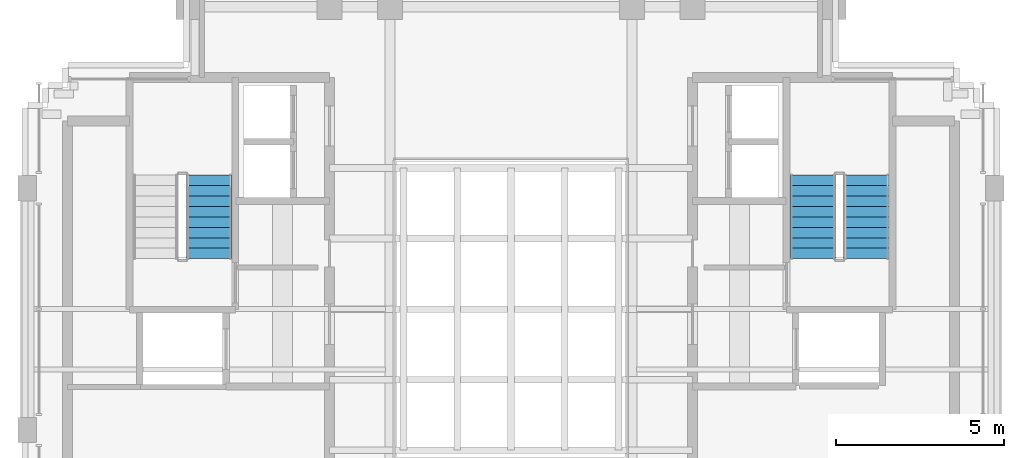
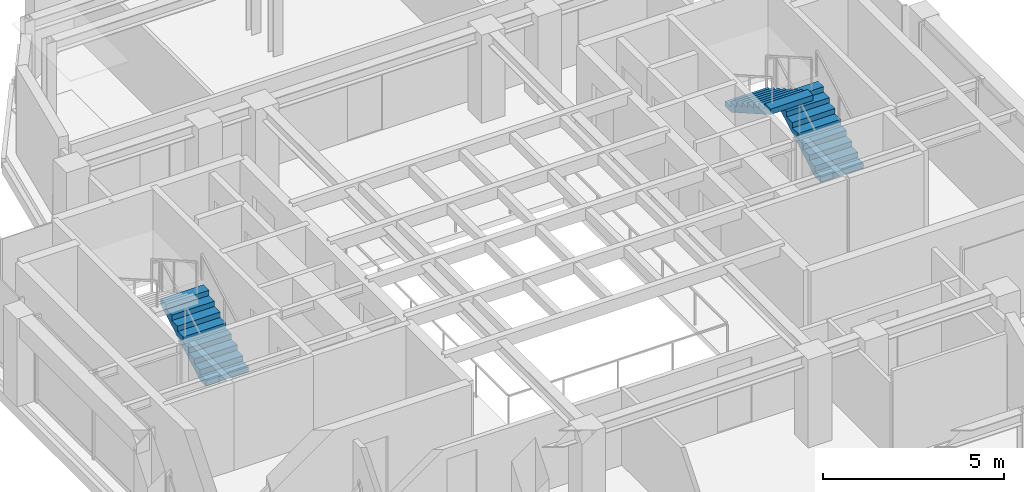
# One storey, part 9 of 11: 3 stair flights, 2 elements without a shape of their own.
"""IFC4 building model written with IfcOpenShell, lengths in metres."""

import ifcopenshell
import ifcopenshell.guid

model = None  # the IFC model being written
_history = None  # IfcOwnerHistory: only IFC2X3 demands one
_inside = {}  # id of a spatial element -> (the spatial element, [elements in it])
_under = {}  # id of a project, library or spatial element -> (it, [spatial elements below it])
_declared = {}  # id of a project -> (the project, [libraries it declares])
_typed = {}  # id of a type object -> (the type object, [elements of that type])
_made_of = {}  # id of a material, layer set ... -> (it, [elements and type objects made of it])


def new_model(schema):
    """Start an empty IFC model of exactly this schema.

    Asked for "IFC4X3", IfcOpenShell would pick the latest addendum, in which some entities
    have other attributes; the version numbers below select the first issue.
    IFC2X3 requires an IfcOwnerHistory on every rooted entity: one is made here for all.
    """
    global model, _history
    if schema == "IFC4X3":
        model = ifcopenshell.file(schema_version=(4, 3, 0, 0))
    else:
        model = ifcopenshell.file(schema=schema)
    _inside.clear()
    _under.clear()
    _declared.clear()
    _typed.clear()
    _made_of.clear()
    _history = None
    if model.schema == "IFC2X3":
        org = make("IfcOrganization", Name="unknown")
        user = make(
            "IfcPersonAndOrganization",
            ThePerson=make("IfcPerson", FamilyName="unknown"),
            TheOrganization=org,
        )
        app = make(
            "IfcApplication",
            ApplicationDeveloper=org,
            Version="unknown",
            ApplicationFullName="unknown",
            ApplicationIdentifier="unknown",
        )
        _history = make(
            "IfcOwnerHistory",
            OwningUser=user,
            OwningApplication=app,
            ChangeAction="ADDED",
            CreationDate=0,
        )
    return model


def make(cls, **values):
    """One entity of the class cls with the attributes given. An attribute that is None is left unset."""
    return model.create_entity(
        cls, **{name: value for name, value in values.items() if value is not None}
    )


def rooted(cls, **values):
    """An entity with a GlobalId (a new one), such as an element, a storey or a relation."""
    return make(cls, GlobalId=ifcopenshell.guid.new(), OwnerHistory=_history, **values)


def si_unit(unit_type, name, prefix=None):
    """IfcSIUnit, for example si_unit("LENGTHUNIT", "METRE", prefix="MILLI")."""
    return make("IfcSIUnit", UnitType=unit_type, Prefix=prefix, Name=name)


def assignment(units):
    """IfcUnitAssignment: the units of a project."""
    return None if units is None else make("IfcUnitAssignment", Units=units)


def point(xyz):
    """IfcCartesianPoint."""
    return None if xyz is None else make("IfcCartesianPoint", Coordinates=xyz)


def direction(xyz):
    """IfcDirection."""
    return None if xyz is None else make("IfcDirection", DirectionRatios=xyz)


def frame(location, z_axis=None, x_axis=None):
    """IfcAxis2Placement3D, a coordinate frame: its origin and axes. An axis left out is left unset."""
    return make(
        "IfcAxis2Placement3D",
        Location=point(location),
        Axis=direction(z_axis),
        RefDirection=direction(x_axis),
    )


def origin():
    """The frame at (0, 0, 0) with its axes left unset."""
    return frame((0.0, 0.0, 0.0))


def place(relative_to, where):
    """IfcLocalPlacement: puts the frame where relative to a parent placement (None: the world)."""
    return make(
        "IfcLocalPlacement", PlacementRelTo=relative_to, RelativePlacement=where
    )


def context(
    kind, dimensions, precision=None, world=None, true_north=None, identifier=None
):
    """IfcGeometricRepresentationContext, for example the 3D "Model" context."""
    return make(
        "IfcGeometricRepresentationContext",
        ContextIdentifier=identifier,
        ContextType=kind,
        CoordinateSpaceDimension=dimensions,
        Precision=precision,
        WorldCoordinateSystem=world,
        TrueNorth=true_north,
    )


def subcontext(parent, identifier, kind, view, scale=None):
    """IfcGeometricRepresentationSubContext, for example "Body" below "Model"."""
    return make(
        "IfcGeometricRepresentationSubContext",
        ContextIdentifier=identifier,
        ContextType=kind,
        ParentContext=parent,
        TargetScale=scale,
        TargetView=view,
    )


def project(units=None, contexts=None):
    """IfcProject with its units and contexts."""
    return rooted(
        "IfcProject",
        Name="project",
        RepresentationContexts=contexts,
        UnitsInContext=assignment(units),
    )


def spatial(cls, under=None, at=None, **own):
    """A site, building, storey or space (cls), placed at a placement, below another one or the project."""
    s = rooted(cls, ObjectPlacement=at, **own)
    if under is not None:
        _under.setdefault(under.id(), (under, []))[1].append(s)
    return s


def polyline(points):
    """IfcPolyline through the points."""
    return make("IfcPolyline", Points=[point(p) for p in points])


def outline(outer, holes=None, kind="AREA"):
    """IfcArbitraryClosedProfileDef: a profile drawn as a closed curve; with holes, ...WithVoids."""
    if holes is None:
        return make("IfcArbitraryClosedProfileDef", ProfileType=kind, OuterCurve=outer)
    return make(
        "IfcArbitraryProfileDefWithVoids",
        ProfileType=kind,
        OuterCurve=outer,
        InnerCurves=holes,
    )


def extrude(swept, where, along, depth):
    """IfcExtrudedAreaSolid: the profile swept, set in the frame where, extruded along a direction by depth."""
    return make(
        "IfcExtrudedAreaSolid",
        SweptArea=swept,
        Position=where,
        ExtrudedDirection=direction(along),
        Depth=depth,
    )


def shape(context_of_items, identifier, shape_type, items):
    """IfcShapeRepresentation: the items that make up one representation, for example the "Body"."""
    return make(
        "IfcShapeRepresentation",
        ContextOfItems=context_of_items,
        RepresentationIdentifier=identifier,
        RepresentationType=shape_type,
        Items=items,
    )


def material(Name=None, Category=None):
    """IfcMaterial."""
    return make("IfcMaterial", Name=Name, Category=Category)


def made_of(thing, what):
    """Note that an element or type object is made of a material, layer set ...; save() writes the relation."""
    if what is not None:
        _made_of.setdefault(what.id(), (what, []))[1].append(thing)
    return thing


def type_object(cls, material=None, **own):
    """A type object (cls), such as IfcWallType, which elements share."""
    return made_of(rooted(cls, **own), material)


def element(
    cls,
    number,
    at=None,
    inside=None,
    cuts=None,
    type_object=None,
    material=None,
    context=None,
    identifier="Body",
    shape_type=None,
    held_by="IfcProductDefinitionShape",
    body=None,
    shapes=None,
    **own,
):
    """One element of the class cls, such as IfcWall. Its Tag is "e" and its number.

    at: its placement. inside: the storey or other place that contains it. cuts: it is an
    opening in that element (IfcRelVoidsElement). A single representation is given by context,
    identifier, shape_type and body (its items); several are given by shapes. held_by: the class
    of the entity that holds the representations. save() writes the other relations.
    """
    e = rooted(cls, Tag="e%d" % number, ObjectPlacement=at, **own)
    if body is not None:
        shapes = [shape(context, identifier, shape_type, body)]
    if shapes is not None:
        e.Representation = make(held_by, Representations=shapes)
    if inside is not None:
        _inside.setdefault(inside.id(), (inside, []))[1].append(e)
    if cuts is not None:
        rooted(
            "IfcRelVoidsElement", RelatingBuildingElement=cuts, RelatedOpeningElement=e
        )
    if type_object is not None:
        _typed.setdefault(type_object.id(), (type_object, []))[1].append(e)
    return made_of(e, material)


def aggregate(whole, parts):
    """IfcRelAggregates: a whole, such as a stair, and the parts it consists of."""
    return rooted("IfcRelAggregates", RelatingObject=whole, RelatedObjects=parts)


def save(model, path):
    """Write the relations noted so far, then the file.

    IfcRelAggregates (storeys below a building ...), IfcRelContainedInSpatialStructure (elements
    in a storey), IfcRelDefinesByType, IfcRelAssociatesMaterial and IfcRelDeclares: one each for
    every whole, place, type object, material and project.
    """
    for whole, parts in _under.values():
        aggregate(whole, parts)
    for where, things in _inside.values():
        rooted(
            "IfcRelContainedInSpatialStructure",
            RelatedElements=things,
            RelatingStructure=where,
        )
    for kind, things in _typed.values():
        rooted("IfcRelDefinesByType", RelatedObjects=things, RelatingType=kind)
    for what, things in _made_of.values():
        rooted("IfcRelAssociatesMaterial", RelatedObjects=things, RelatingMaterial=what)
    for by, libraries in _declared.values():
        rooted("IfcRelDeclares", RelatingContext=by, RelatedDefinitions=libraries)
    model.write(path)


model = new_model("IFC4")

# Units and contexts
model_context = context("Model", 3, precision=1e-05, world=origin(), true_north=direction((0.0, 1.0)))
body_context = subcontext(model_context, "Body", "Model", "MODEL_VIEW")
ifc_project = project(units=[si_unit("LENGTHUNIT", "METRE"), si_unit("AREAUNIT", "SQUARE_METRE"), si_unit("VOLUMEUNIT", "CUBIC_METRE"), si_unit("PLANEANGLEUNIT", "RADIAN"), si_unit("MASSUNIT", "GRAM", prefix="KILO")], contexts=[model_context])

# Site, building, storey
site_placement = place(None, origin())
site = spatial("IfcSite", under=ifc_project, at=site_placement, CompositionType="ELEMENT")
building_placement = place(site_placement, origin())
building = spatial("IfcBuilding", under=site, at=building_placement, Name="Keilestroom Media Tower", CompositionType="ELEMENT")
storey_placement = place(building_placement, frame((0.0, 0.0, 268.39990234375)))
storey = spatial("IfcBuildingStorey", under=building, at=storey_placement, Name="L75", CompositionType="ELEMENT", Elevation=268.39990234375)

# Stair, stair flight
ifc_material_1 = material(Name="Concrete C45/55", Category="concrete")
stair_type = type_object("IfcStairType", Name="Enclosed-Dog-Leg-Stair-ST-CORE", PredefinedType="HALF_TURN_STAIR", material=ifc_material_1)
stair_1_placement = place(storey_placement, origin())
stair_1 = element("IfcStair", 1, at=stair_1_placement, inside=storey, type_object=stair_type, Name="L75 West Core Escape Stair ST-1", PredefinedType="HALF_TURN_STAIR")
ifc_material_2 = material(Name="Precast concrete C40/50", Category="concrete")
stair_flight_type = type_object("IfcStairFlightType", Name="Precast-Concrete-Stair-Flight-Core-160", PredefinedType="STRAIGHT", material=ifc_material_2)
stair_flight_1_placement = place(storey_placement, frame((-8.97998046875, 1.5, 0.0), z_axis=(0.0, 0.0, 1.0), x_axis=(0.0, 1.0, 0.0)))
stair_flight_1 = element("IfcStairFlight", 2, at=stair_flight_1_placement, type_object=stair_flight_type, Name="ST-1 flight 1", NumberOfRisers=9, NumberOfTreads=8, PredefinedType="STRAIGHT", RiserHeight=0.177777778, TreadLength=0.312, context=body_context, shape_type="SweptSolid", body=[
    extrude(outline(polyline([(0.0, 0.0), (0.0, 0.177734375), (0.31201171875, 0.177734375), (0.31201171875, 0.35546875), (0.6240234375, 0.35546875), (0.6240234375, 0.533447265625), (0.93603515625, 0.533447265625), (0.93603515625, 0.711181640625), (1.248046875, 0.711181640625), (1.248046875, 0.888916015625), (1.56005859375, 0.888916015625), (1.56005859375, 1.066650390625), (1.8720703125, 1.066650390625), (1.8720703125, 1.244384765625), (2.18408203125, 1.244384765625), (2.18408203125, 1.422119140625), (2.49609375, 1.422119140625), (2.49609375, 1.60009765625), (2.49609375, 1.23828125), (0.322998046875, 0.0), (0.0, 0.0)])), frame((0.0, 0.68017578125, 0.0), z_axis=(0.0, -1.0, 0.0), x_axis=(1.0, 0.0, 0.0)), (0.0, 0.0, 1.0), 1.360107421875),
])
aggregate(stair_1, [stair_flight_1])

# Stair, stair flights
stair_2_placement = place(storey_placement, origin())
stair_2 = element("IfcStair", 3, at=stair_2_placement, inside=storey, type_object=stair_type, Name="L75 East Core Escape Stair ST-2", PredefinedType="HALF_TURN_STAIR")
stair_flight_2_placement = place(storey_placement, frame((10.580078125, 1.5, 0.0), z_axis=(0.0, 0.0, 1.0), x_axis=(0.0, 1.0, 0.0)))
stair_flight_2 = element("IfcStairFlight", 4, at=stair_flight_2_placement, type_object=stair_flight_type, Name="ST-2 flight 1", NumberOfRisers=9, NumberOfTreads=8, PredefinedType="STRAIGHT", RiserHeight=0.177777778, TreadLength=0.312, context=body_context, shape_type="SweptSolid", body=[
    extrude(outline(polyline([(0.0, 0.0), (0.0, 0.177734375), (0.31201171875, 0.177734375), (0.31201171875, 0.35546875), (0.6240234375, 0.35546875), (0.6240234375, 0.533447265625), (0.93603515625, 0.533447265625), (0.93603515625, 0.711181640625), (1.248046875, 0.711181640625), (1.248046875, 0.888916015625), (1.56005859375, 0.888916015625), (1.56005859375, 1.066650390625), (1.8720703125, 1.066650390625), (1.8720703125, 1.244384765625), (2.18408203125, 1.244384765625), (2.18408203125, 1.422119140625), (2.49609375, 1.422119140625), (2.49609375, 1.60009765625), (2.49609375, 1.23828125), (0.322998046875, 0.0), (0.0, 0.0)])), frame((0.0, 0.68017578125, 0.0), z_axis=(0.0, -1.0, 0.0), x_axis=(1.0, 0.0, 0.0)), (0.0, 0.0, 1.0), 1.360107421875),
])
stair_flight_3_placement = place(storey_placement, frame((8.97998046875, 3.99609375, 1.60009765625), z_axis=(0.0, 0.0, 1.0), x_axis=(0.0, -1.0, 0.0)))
stair_flight_3 = element("IfcStairFlight", 5, at=stair_flight_3_placement, type_object=stair_flight_type, Name="ST-2 flight 2", NumberOfRisers=9, NumberOfTreads=8, PredefinedType="STRAIGHT", RiserHeight=0.177777778, TreadLength=0.312, context=body_context, shape_type="SweptSolid", body=[
    extrude(outline(polyline([(0.0, 0.0), (0.0, 0.177734375), (0.31201171875, 0.177734375), (0.31201171875, 0.35546875), (0.6240234375, 0.35546875), (0.6240234375, 0.533447265625), (0.93603515625, 0.533447265625), (0.93603515625, 0.711181640625), (1.248046875, 0.711181640625), (1.248046875, 0.888916015625), (1.56005859375, 0.888916015625), (1.56005859375, 1.066650390625), (1.8720703125, 1.066650390625), (1.8720703125, 1.244384765625), (2.18408203125, 1.244384765625), (2.18408203125, 1.422119140625), (2.49609375, 1.422119140625), (2.49609375, 1.60009765625), (2.49609375, 1.23828125), (0.322998046875, 0.0), (0.0, 0.0)])), frame((0.0, 0.68017578125, 0.0), z_axis=(0.0, -1.0, 0.0), x_axis=(1.0, 0.0, 0.0)), (0.0, 0.0, 1.0), 1.360107421875),
])
aggregate(stair_2, [stair_flight_2, stair_flight_3])

save(model, "model.ifc")
